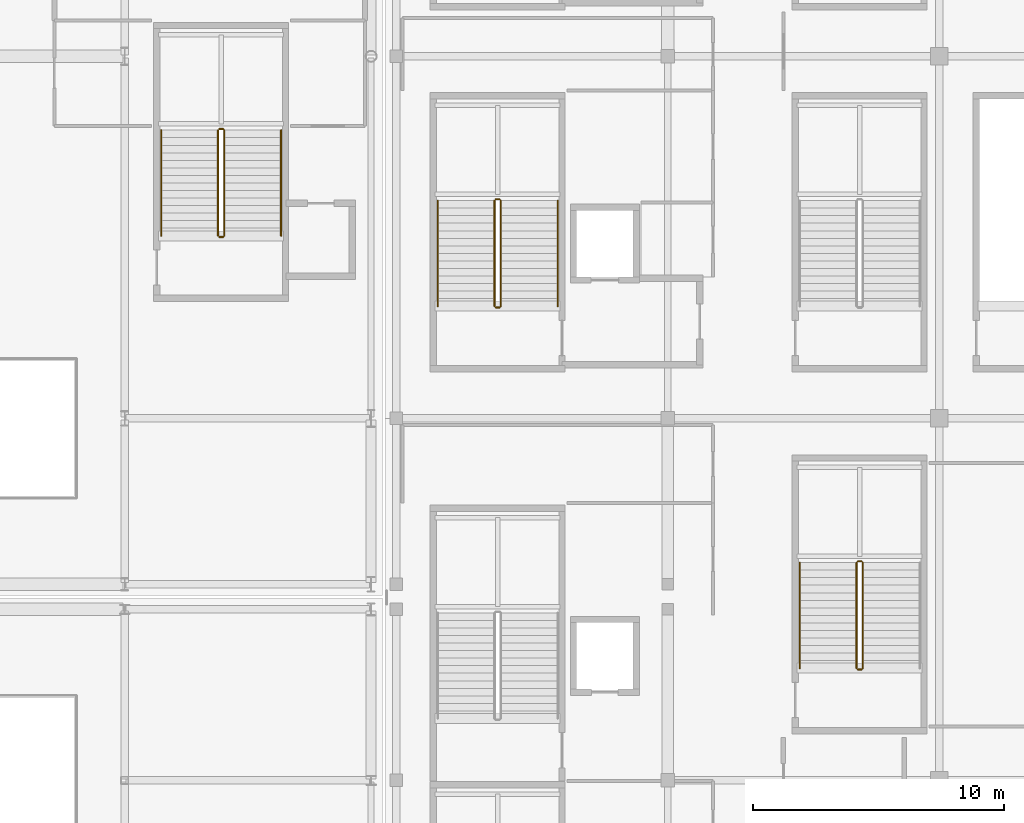
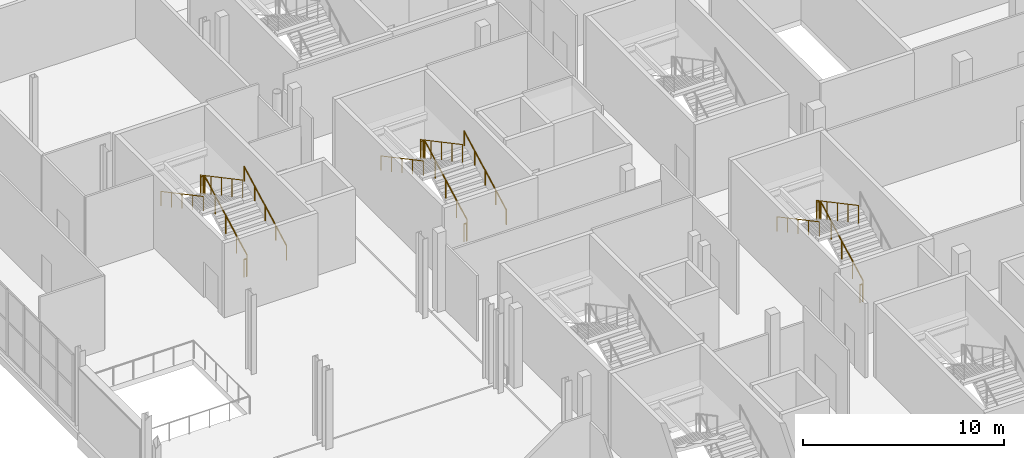
# One storey, part 104 of 129: 17 railings.
"""IFC4 building model written with IfcOpenShell, lengths in metres."""

from ifc_helpers import new_model, si_unit, direction, frame, origin, origin_2d, place, context, subcontext, project, spatial, circle, extrude, material, type_object, element, save


model = new_model("IFC4")

# Units and contexts
model_context = context("Model", 3, precision=1e-05, world=origin(), true_north=direction((0.0, 1.0)))
body_context = subcontext(model_context, "Body", "Model", "MODEL_VIEW")
ifc_project = project(units=[si_unit("LENGTHUNIT", "METRE"), si_unit("AREAUNIT", "SQUARE_METRE"), si_unit("VOLUMEUNIT", "CUBIC_METRE"), si_unit("PLANEANGLEUNIT", "RADIAN"), si_unit("MASSUNIT", "GRAM", prefix="KILO")], contexts=[model_context])

# Site, building, storey
site_placement = place(None, origin())
site = spatial("IfcSite", under=ifc_project, at=site_placement, CompositionType="ELEMENT")
building_placement = place(site_placement, origin())
building = spatial("IfcBuilding", under=site, at=building_placement, Name="Koshinbarg Plaza Stadium", CompositionType="ELEMENT")
storey_placement = place(building_placement, frame((0.0, 0.0, 5.39990234375)))
storey = spatial("IfcBuildingStorey", under=building, at=storey_placement, Name="L01", CompositionType="ELEMENT", Elevation=5.39990234375)

# Railings
ifc_material_1 = material(Name="Galvanized painted steel guardrail", Category="steel")
railing_type_1 = type_object("IfcRailingType", Name="RL-GUARD-1100", PredefinedType="GUARDRAIL", material=ifc_material_1)
railing_1_placement = place(storey_placement, frame((28.760009765625, 87.56005859375, 0.16015625)))
element("IfcRailing", 1, at=railing_1_placement, inside=storey, type_object=railing_type_1, Name="L01 C05 stair guard 1", PredefinedType="GUARDRAIL", context=body_context, shape_type="SweptSolid", body=[
    extrude(circle(Radius=0.02392578125, at=origin_2d()), frame((0.0, 0.0, 1.076171875), z_axis=(0.0, 0.882351521365, 0.470590897432), x_axis=(-1.0, 0.0, 0.0)), (0.0, 0.0, 1.0), 4.760009765625),
    extrude(circle(Radius=0.02099609375, at=origin_2d()), origin(), (0.0, 0.0, 1.0), 1.052001953125),
    extrude(circle(Radius=0.02099609375, at=origin_2d()), frame((0.0, 1.050048828125, 0.56005859375)), (0.0, 0.0, 1.0), 1.052001953125),
    extrude(circle(Radius=0.02099609375, at=origin_2d()), frame((0.0, 2.10009765625, 1.1201171875)), (0.0, 0.0, 1.0), 1.052001953125),
    extrude(circle(Radius=0.02099609375, at=origin_2d()), frame((0.0, 3.14990234375, 1.679931640625)), (0.0, 0.0, 1.0), 1.052001953125),
    extrude(circle(Radius=0.02099609375, at=origin_2d()), frame((0.0, 4.199951171875, 2.239990234375)), (0.0, 0.0, 1.0), 1.052001953125),
])
railing_2_placement = place(storey_placement, frame((28.7099609375, 91.81005859375, 2.400146484375)))
element("IfcRailing", 2, at=railing_2_placement, inside=storey, type_object=railing_type_1, Name="L01 C05 stair guard 2", PredefinedType="GUARDRAIL", context=body_context, shape_type="SweptSolid", body=[
    extrude(circle(Radius=0.02392578125, at=origin_2d()), frame((0.0, 0.0, 1.076171875), z_axis=(-1.0, 0.0, 0.0), x_axis=(0.0, -1.0, 0.0)), (0.0, 0.0, 1.0), 0.14990234375),
    extrude(circle(Radius=0.02099609375, at=origin_2d()), origin(), (0.0, 0.0, 1.0), 1.052001953125),
    extrude(circle(Radius=0.02099609375, at=origin_2d()), frame((-0.14990234375, 0.0, 0.0)), (0.0, 0.0, 1.0), 1.052001953125),
])
railing_3_placement = place(storey_placement, frame((28.510009765625, 91.760009765625, 2.56005859375)))
element("IfcRailing", 3, at=railing_3_placement, inside=storey, type_object=railing_type_1, Name="L01 C05 stair guard 3", PredefinedType="GUARDRAIL", context=body_context, shape_type="SweptSolid", body=[
    extrude(circle(Radius=0.02392578125, at=origin_2d()), frame((0.0, 0.0, 1.076171875), z_axis=(0.0, -0.882351521365, 0.470590897432), x_axis=(1.0, 0.0, 0.0)), (0.0, 0.0, 1.0), 4.760009765625),
    extrude(circle(Radius=0.02099609375, at=origin_2d()), origin(), (0.0, 0.0, 1.0), 1.052001953125),
    extrude(circle(Radius=0.02099609375, at=origin_2d()), frame((0.0, -1.050048828125, 0.56005859375)), (0.0, 0.0, 1.0), 1.052001953125),
    extrude(circle(Radius=0.02099609375, at=origin_2d()), frame((0.0, -2.10009765625, 1.1201171875)), (0.0, 0.0, 1.0), 1.052001953125),
    extrude(circle(Radius=0.02099609375, at=origin_2d()), frame((0.0, -3.14990234375, 1.679931640625)), (0.0, 0.0, 1.0), 1.052001953125),
    extrude(circle(Radius=0.02099609375, at=origin_2d()), frame((0.0, -4.199951171875, 2.239990234375)), (0.0, 0.0, 1.0), 1.052001953125),
])
railing_4_placement = place(storey_placement, frame((28.7099609375, 87.510009765625, 0.0)))
element("IfcRailing", 4, at=railing_4_placement, inside=storey, type_object=railing_type_1, Name="L01 C05 stair guard 4", PredefinedType="GUARDRAIL", context=body_context, shape_type="SweptSolid", body=[
    extrude(circle(Radius=0.02392578125, at=origin_2d()), frame((0.0, 0.0, 1.076171875), z_axis=(-1.0, 0.0, 0.0), x_axis=(0.0, -1.0, 0.0)), (0.0, 0.0, 1.0), 0.14990234375),
    extrude(circle(Radius=0.02099609375, at=origin_2d()), origin(), (0.0, 0.0, 1.0), 1.052001953125),
    extrude(circle(Radius=0.02099609375, at=origin_2d()), frame((-0.14990234375, 0.0, 0.0)), (0.0, 0.0, 1.0), 1.052001953125),
])
railing_5_placement = place(storey_placement, frame((17.760009765625, 90.360107421875, 0.16015625)))
element("IfcRailing", 5, at=railing_5_placement, inside=storey, type_object=railing_type_1, Name="L01 C15 stair guard 1", PredefinedType="GUARDRAIL", context=body_context, shape_type="SweptSolid", body=[
    extrude(circle(Radius=0.02392578125, at=origin_2d()), frame((0.0, 0.0, 1.076171875), z_axis=(0.0, 0.882351521365, 0.470590897432), x_axis=(-1.0, 0.0, 0.0)), (0.0, 0.0, 1.0), 4.760009765625),
    extrude(circle(Radius=0.02099609375, at=origin_2d()), origin(), (0.0, 0.0, 1.0), 1.052001953125),
    extrude(circle(Radius=0.02099609375, at=origin_2d()), frame((0.0, 1.050048828125, 0.56005859375)), (0.0, 0.0, 1.0), 1.052001953125),
    extrude(circle(Radius=0.02099609375, at=origin_2d()), frame((0.0, 2.10009765625, 1.1201171875)), (0.0, 0.0, 1.0), 1.052001953125),
    extrude(circle(Radius=0.02099609375, at=origin_2d()), frame((0.0, 3.14990234375, 1.679931640625)), (0.0, 0.0, 1.0), 1.052001953125),
    extrude(circle(Radius=0.02099609375, at=origin_2d()), frame((0.0, 4.199951171875, 2.239990234375)), (0.0, 0.0, 1.0), 1.052001953125),
])
railing_6_placement = place(storey_placement, frame((17.7099609375, 94.610107421875, 2.400146484375)))
element("IfcRailing", 6, at=railing_6_placement, inside=storey, type_object=railing_type_1, Name="L01 C15 stair guard 2", PredefinedType="GUARDRAIL", context=body_context, shape_type="SweptSolid", body=[
    extrude(circle(Radius=0.02392578125, at=origin_2d()), frame((0.0, 0.0, 1.076171875), z_axis=(-1.0, 0.0, 0.0), x_axis=(0.0, -1.0, 0.0)), (0.0, 0.0, 1.0), 0.14990234375),
    extrude(circle(Radius=0.02099609375, at=origin_2d()), origin(), (0.0, 0.0, 1.0), 1.052001953125),
    extrude(circle(Radius=0.02099609375, at=origin_2d()), frame((-0.14990234375, 0.0, 0.0)), (0.0, 0.0, 1.0), 1.052001953125),
])
railing_7_placement = place(storey_placement, frame((17.510009765625, 94.56005859375, 2.56005859375)))
element("IfcRailing", 7, at=railing_7_placement, inside=storey, type_object=railing_type_1, Name="L01 C15 stair guard 3", PredefinedType="GUARDRAIL", context=body_context, shape_type="SweptSolid", body=[
    extrude(circle(Radius=0.02392578125, at=origin_2d()), frame((0.0, 0.0, 1.076171875), z_axis=(0.0, -0.882351521365, 0.470590897432), x_axis=(1.0, 0.0, 0.0)), (0.0, 0.0, 1.0), 4.760009765625),
    extrude(circle(Radius=0.02099609375, at=origin_2d()), origin(), (0.0, 0.0, 1.0), 1.052001953125),
    extrude(circle(Radius=0.02099609375, at=origin_2d()), frame((0.0, -1.050048828125, 0.56005859375)), (0.0, 0.0, 1.0), 1.052001953125),
    extrude(circle(Radius=0.02099609375, at=origin_2d()), frame((0.0, -2.10009765625, 1.1201171875)), (0.0, 0.0, 1.0), 1.052001953125),
    extrude(circle(Radius=0.02099609375, at=origin_2d()), frame((0.0, -3.14990234375, 1.679931640625)), (0.0, 0.0, 1.0), 1.052001953125),
    extrude(circle(Radius=0.02099609375, at=origin_2d()), frame((0.0, -4.199951171875, 2.239990234375)), (0.0, 0.0, 1.0), 1.052001953125),
])
railing_8_placement = place(storey_placement, frame((17.7099609375, 90.31005859375, 0.0)))
element("IfcRailing", 8, at=railing_8_placement, inside=storey, type_object=railing_type_1, Name="L01 C15 stair guard 4", PredefinedType="GUARDRAIL", context=body_context, shape_type="SweptSolid", body=[
    extrude(circle(Radius=0.02392578125, at=origin_2d()), frame((0.0, 0.0, 1.076171875), z_axis=(-1.0, 0.0, 0.0), x_axis=(0.0, -1.0, 0.0)), (0.0, 0.0, 1.0), 0.14990234375),
    extrude(circle(Radius=0.02099609375, at=origin_2d()), origin(), (0.0, 0.0, 1.0), 1.052001953125),
    extrude(circle(Radius=0.02099609375, at=origin_2d()), frame((-0.14990234375, 0.0, 0.0)), (0.0, 0.0, 1.0), 1.052001953125),
])
railing_9_placement = place(storey_placement, frame((43.159912109375, 73.159912109375, 0.16015625)))
element("IfcRailing", 9, at=railing_9_placement, inside=storey, type_object=railing_type_1, Name="L01 VX04 stair guard 1", PredefinedType="GUARDRAIL", context=body_context, shape_type="SweptSolid", body=[
    extrude(circle(Radius=0.02392578125, at=origin_2d()), frame((0.0, 0.0, 1.076171875), z_axis=(0.0, 0.882362879185, 0.470569601054), x_axis=(-1.0, 0.0, 0.0)), (0.0, 0.0, 1.0), 4.76025390625),
    extrude(circle(Radius=0.02099609375, at=origin_2d()), origin(), (0.0, 0.0, 1.0), 1.052001953125),
    extrude(circle(Radius=0.02099609375, at=origin_2d()), frame((0.0, 1.050048828125, 0.56005859375)), (0.0, 0.0, 1.0), 1.052001953125),
    extrude(circle(Radius=0.02099609375, at=origin_2d()), frame((0.0, 2.10009765625, 1.1201171875)), (0.0, 0.0, 1.0), 1.052001953125),
    extrude(circle(Radius=0.02099609375, at=origin_2d()), frame((0.0, 3.150146484375, 1.679931640625)), (0.0, 0.0, 1.0), 1.052001953125),
    extrude(circle(Radius=0.02099609375, at=origin_2d()), frame((0.0, 4.2001953125, 2.239990234375)), (0.0, 0.0, 1.0), 1.052001953125),
])
railing_10_placement = place(storey_placement, frame((43.110107421875, 77.409912109375, 2.400146484375)))
element("IfcRailing", 10, at=railing_10_placement, inside=storey, type_object=railing_type_1, Name="L01 VX04 stair guard 2", PredefinedType="GUARDRAIL", context=body_context, shape_type="SweptSolid", body=[
    extrude(circle(Radius=0.02392578125, at=origin_2d()), frame((0.0, 0.0, 1.076171875), z_axis=(-1.0, 0.0, 0.0), x_axis=(0.0, -1.0, 0.0)), (0.0, 0.0, 1.0), 0.150146484375),
    extrude(circle(Radius=0.02099609375, at=origin_2d()), origin(), (0.0, 0.0, 1.0), 1.052001953125),
    extrude(circle(Radius=0.02099609375, at=origin_2d()), frame((-0.150146484375, 0.0, 0.0)), (0.0, 0.0, 1.0), 1.052001953125),
])
railing_11_placement = place(storey_placement, frame((42.909912109375, 77.360107421875, 2.56005859375)))
element("IfcRailing", 11, at=railing_11_placement, inside=storey, type_object=railing_type_1, Name="L01 VX04 stair guard 3", PredefinedType="GUARDRAIL", context=body_context, shape_type="SweptSolid", body=[
    extrude(circle(Radius=0.02392578125, at=origin_2d()), frame((0.0, 0.0, 1.076171875), z_axis=(0.0, -0.882362879185, 0.470569601054), x_axis=(1.0, 0.0, 0.0)), (0.0, 0.0, 1.0), 4.76025390625),
    extrude(circle(Radius=0.02099609375, at=origin_2d()), origin(), (0.0, 0.0, 1.0), 1.052001953125),
    extrude(circle(Radius=0.02099609375, at=origin_2d()), frame((0.0, -1.050048828125, 0.56005859375)), (0.0, 0.0, 1.0), 1.052001953125),
    extrude(circle(Radius=0.02099609375, at=origin_2d()), frame((0.0, -2.10009765625, 1.1201171875)), (0.0, 0.0, 1.0), 1.052001953125),
    extrude(circle(Radius=0.02099609375, at=origin_2d()), frame((0.0, -3.150146484375, 1.679931640625)), (0.0, 0.0, 1.0), 1.052001953125),
    extrude(circle(Radius=0.02099609375, at=origin_2d()), frame((0.0, -4.2001953125, 2.239990234375)), (0.0, 0.0, 1.0), 1.052001953125),
])
railing_12_placement = place(storey_placement, frame((43.110107421875, 73.110107421875, 0.0)))
element("IfcRailing", 12, at=railing_12_placement, inside=storey, type_object=railing_type_1, Name="L01 VX04 stair guard 4", PredefinedType="GUARDRAIL", context=body_context, shape_type="SweptSolid", body=[
    extrude(circle(Radius=0.02392578125, at=origin_2d()), frame((0.0, 0.0, 1.076171875), z_axis=(-1.0, 0.0, 0.0), x_axis=(0.0, -1.0, 0.0)), (0.0, 0.0, 1.0), 0.150146484375),
    extrude(circle(Radius=0.02099609375, at=origin_2d()), origin(), (0.0, 0.0, 1.0), 1.052001953125),
    extrude(circle(Radius=0.02099609375, at=origin_2d()), frame((-0.150146484375, 0.0, 0.0)), (0.0, 0.0, 1.0), 1.052001953125),
])
ifc_material_2 = material(Name="Brushed stainless steel handrail", Category="steel")
railing_type_2 = type_object("IfcRailingType", Name="RL-HAND-900", PredefinedType="HANDRAIL", material=ifc_material_2)
railing_13_placement = place(storey_placement, frame((31.02001953125, 87.56005859375, 0.16015625)))
element("IfcRailing", 13, at=railing_13_placement, inside=storey, type_object=railing_type_2, Name="L01 C05 stair handrail 1", PredefinedType="HANDRAIL", context=body_context, shape_type="SweptSolid", body=[
    extrude(circle(Radius=0.02392578125, at=origin_2d()), frame((0.0, 0.0, 0.8759765625), z_axis=(0.0, 0.882351521365, 0.470590897432), x_axis=(-1.0, 0.0, 0.0)), (0.0, 0.0, 1.0), 4.760009765625),
    extrude(circle(Radius=0.02099609375, at=origin_2d()), origin(), (0.0, 0.0, 1.0), 0.851806640625),
    extrude(circle(Radius=0.02099609375, at=origin_2d()), frame((0.0, 1.050048828125, 0.56005859375)), (0.0, 0.0, 1.0), 0.851806640625),
    extrude(circle(Radius=0.02099609375, at=origin_2d()), frame((0.0, 2.10009765625, 1.1201171875)), (0.0, 0.0, 1.0), 0.851806640625),
    extrude(circle(Radius=0.02099609375, at=origin_2d()), frame((0.0, 3.14990234375, 1.679931640625)), (0.0, 0.0, 1.0), 0.851806640625),
    extrude(circle(Radius=0.02099609375, at=origin_2d()), frame((0.0, 4.199951171875, 2.239990234375)), (0.0, 0.0, 1.0), 0.851806640625),
])
railing_14_placement = place(storey_placement, frame((26.25, 91.760009765625, 2.56005859375)))
element("IfcRailing", 14, at=railing_14_placement, inside=storey, type_object=railing_type_2, Name="L01 C05 stair handrail 2", PredefinedType="HANDRAIL", context=body_context, shape_type="SweptSolid", body=[
    extrude(circle(Radius=0.02392578125, at=origin_2d()), frame((0.0, 0.0, 0.8759765625), z_axis=(0.0, -0.882351521365, 0.470590897432), x_axis=(1.0, 0.0, 0.0)), (0.0, 0.0, 1.0), 4.760009765625),
    extrude(circle(Radius=0.02099609375, at=origin_2d()), origin(), (0.0, 0.0, 1.0), 0.851806640625),
    extrude(circle(Radius=0.02099609375, at=origin_2d()), frame((0.0, -1.050048828125, 0.56005859375)), (0.0, 0.0, 1.0), 0.851806640625),
    extrude(circle(Radius=0.02099609375, at=origin_2d()), frame((0.0, -2.10009765625, 1.1201171875)), (0.0, 0.0, 1.0), 0.851806640625),
    extrude(circle(Radius=0.02099609375, at=origin_2d()), frame((0.0, -3.14990234375, 1.679931640625)), (0.0, 0.0, 1.0), 0.851806640625),
    extrude(circle(Radius=0.02099609375, at=origin_2d()), frame((0.0, -4.199951171875, 2.239990234375)), (0.0, 0.0, 1.0), 0.851806640625),
])
railing_15_placement = place(storey_placement, frame((20.02001953125, 90.360107421875, 0.16015625)))
element("IfcRailing", 15, at=railing_15_placement, inside=storey, type_object=railing_type_2, Name="L01 C15 stair handrail 1", PredefinedType="HANDRAIL", context=body_context, shape_type="SweptSolid", body=[
    extrude(circle(Radius=0.02392578125, at=origin_2d()), frame((0.0, 0.0, 0.8759765625), z_axis=(0.0, 0.882351521365, 0.470590897432), x_axis=(-1.0, 0.0, 0.0)), (0.0, 0.0, 1.0), 4.760009765625),
    extrude(circle(Radius=0.02099609375, at=origin_2d()), origin(), (0.0, 0.0, 1.0), 0.851806640625),
    extrude(circle(Radius=0.02099609375, at=origin_2d()), frame((0.0, 1.050048828125, 0.56005859375)), (0.0, 0.0, 1.0), 0.851806640625),
    extrude(circle(Radius=0.02099609375, at=origin_2d()), frame((0.0, 2.10009765625, 1.1201171875)), (0.0, 0.0, 1.0), 0.851806640625),
    extrude(circle(Radius=0.02099609375, at=origin_2d()), frame((0.0, 3.14990234375, 1.679931640625)), (0.0, 0.0, 1.0), 0.851806640625),
    extrude(circle(Radius=0.02099609375, at=origin_2d()), frame((0.0, 4.199951171875, 2.239990234375)), (0.0, 0.0, 1.0), 0.851806640625),
])
railing_16_placement = place(storey_placement, frame((15.25, 94.56005859375, 2.56005859375)))
element("IfcRailing", 16, at=railing_16_placement, inside=storey, type_object=railing_type_2, Name="L01 C15 stair handrail 2", PredefinedType="HANDRAIL", context=body_context, shape_type="SweptSolid", body=[
    extrude(circle(Radius=0.02392578125, at=origin_2d()), frame((0.0, 0.0, 0.8759765625), z_axis=(0.0, -0.882351521365, 0.470590897432), x_axis=(1.0, 0.0, 0.0)), (0.0, 0.0, 1.0), 4.760009765625),
    extrude(circle(Radius=0.02099609375, at=origin_2d()), origin(), (0.0, 0.0, 1.0), 0.851806640625),
    extrude(circle(Radius=0.02099609375, at=origin_2d()), frame((0.0, -1.050048828125, 0.56005859375)), (0.0, 0.0, 1.0), 0.851806640625),
    extrude(circle(Radius=0.02099609375, at=origin_2d()), frame((0.0, -2.10009765625, 1.1201171875)), (0.0, 0.0, 1.0), 0.851806640625),
    extrude(circle(Radius=0.02099609375, at=origin_2d()), frame((0.0, -3.14990234375, 1.679931640625)), (0.0, 0.0, 1.0), 0.851806640625),
    extrude(circle(Radius=0.02099609375, at=origin_2d()), frame((0.0, -4.199951171875, 2.239990234375)), (0.0, 0.0, 1.0), 0.851806640625),
])
railing_17_placement = place(storey_placement, frame((40.64990234375, 77.360107421875, 2.56005859375)))
element("IfcRailing", 17, at=railing_17_placement, inside=storey, type_object=railing_type_2, Name="L01 VX04 stair handrail 2", PredefinedType="HANDRAIL", context=body_context, shape_type="SweptSolid", body=[
    extrude(circle(Radius=0.02392578125, at=origin_2d()), frame((0.0, 0.0, 0.8759765625), z_axis=(0.0, -0.882362879185, 0.470569601054), x_axis=(1.0, 0.0, 0.0)), (0.0, 0.0, 1.0), 4.76025390625),
    extrude(circle(Radius=0.02099609375, at=origin_2d()), origin(), (0.0, 0.0, 1.0), 0.851806640625),
    extrude(circle(Radius=0.02099609375, at=origin_2d()), frame((0.0, -1.050048828125, 0.56005859375)), (0.0, 0.0, 1.0), 0.851806640625),
    extrude(circle(Radius=0.02099609375, at=origin_2d()), frame((0.0, -2.10009765625, 1.1201171875)), (0.0, 0.0, 1.0), 0.851806640625),
    extrude(circle(Radius=0.02099609375, at=origin_2d()), frame((0.0, -3.150146484375, 1.679931640625)), (0.0, 0.0, 1.0), 0.851806640625),
    extrude(circle(Radius=0.02099609375, at=origin_2d()), frame((0.0, -4.2001953125, 2.239990234375)), (0.0, 0.0, 1.0), 0.851806640625),
])

save(model, "model.ifc")
